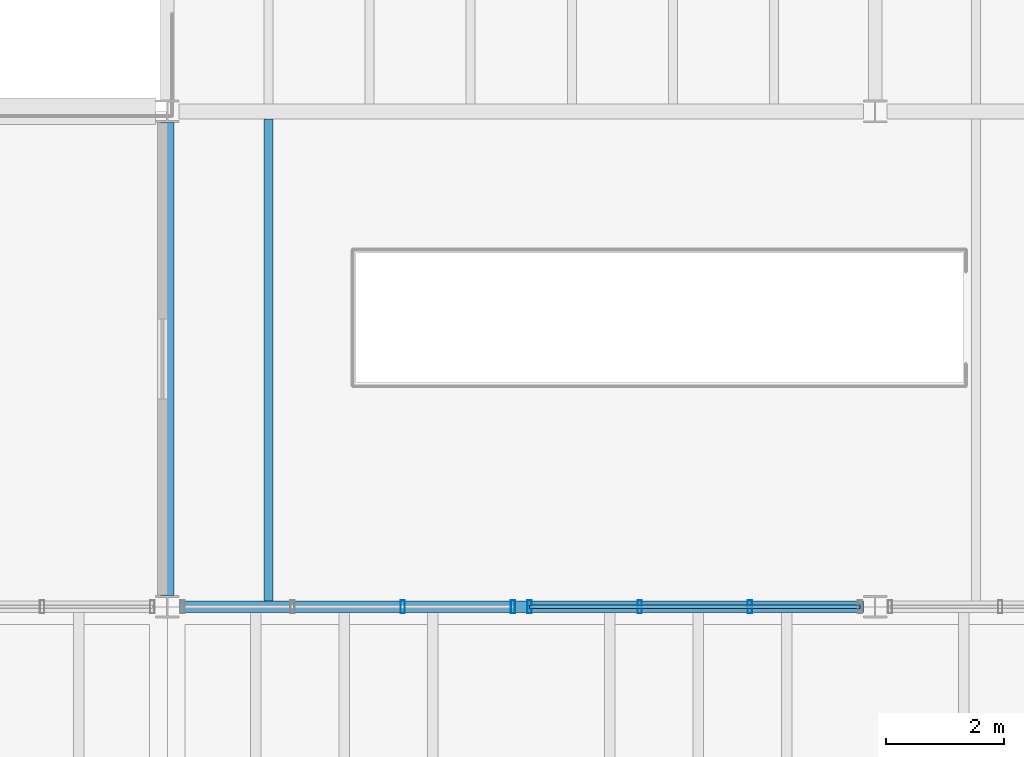
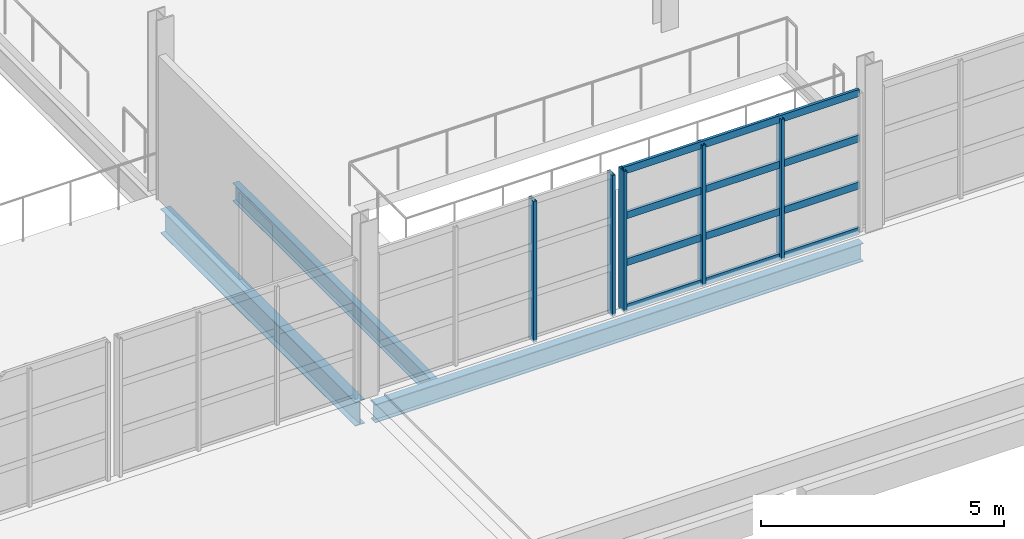
# One storey, part 34 of 114: 9 members, 3 beams, 2 elements without a shape of their own.
"""IFC4 building model written with IfcOpenShell, lengths in metres."""

import ifcopenshell
import ifcopenshell.guid

model = None  # the IFC model being written
_history = None  # IfcOwnerHistory: only IFC2X3 demands one
_inside = {}  # id of a spatial element -> (the spatial element, [elements in it])
_under = {}  # id of a project, library or spatial element -> (it, [spatial elements below it])
_declared = {}  # id of a project -> (the project, [libraries it declares])
_typed = {}  # id of a type object -> (the type object, [elements of that type])
_made_of = {}  # id of a material, layer set ... -> (it, [elements and type objects made of it])


def new_model(schema):
    """Start an empty IFC model of exactly this schema.

    Asked for "IFC4X3", IfcOpenShell would pick the latest addendum, in which some entities
    have other attributes; the version numbers below select the first issue.
    IFC2X3 requires an IfcOwnerHistory on every rooted entity: one is made here for all.
    """
    global model, _history
    if schema == "IFC4X3":
        model = ifcopenshell.file(schema_version=(4, 3, 0, 0))
    else:
        model = ifcopenshell.file(schema=schema)
    _inside.clear()
    _under.clear()
    _declared.clear()
    _typed.clear()
    _made_of.clear()
    _history = None
    if model.schema == "IFC2X3":
        org = make("IfcOrganization", Name="unknown")
        user = make(
            "IfcPersonAndOrganization",
            ThePerson=make("IfcPerson", FamilyName="unknown"),
            TheOrganization=org,
        )
        app = make(
            "IfcApplication",
            ApplicationDeveloper=org,
            Version="unknown",
            ApplicationFullName="unknown",
            ApplicationIdentifier="unknown",
        )
        _history = make(
            "IfcOwnerHistory",
            OwningUser=user,
            OwningApplication=app,
            ChangeAction="ADDED",
            CreationDate=0,
        )
    return model


def make(cls, **values):
    """One entity of the class cls with the attributes given. An attribute that is None is left unset."""
    return model.create_entity(
        cls, **{name: value for name, value in values.items() if value is not None}
    )


def rooted(cls, **values):
    """An entity with a GlobalId (a new one), such as an element, a storey or a relation."""
    return make(cls, GlobalId=ifcopenshell.guid.new(), OwnerHistory=_history, **values)


def si_unit(unit_type, name, prefix=None):
    """IfcSIUnit, for example si_unit("LENGTHUNIT", "METRE", prefix="MILLI")."""
    return make("IfcSIUnit", UnitType=unit_type, Prefix=prefix, Name=name)


def assignment(units):
    """IfcUnitAssignment: the units of a project."""
    return None if units is None else make("IfcUnitAssignment", Units=units)


def point(xyz):
    """IfcCartesianPoint."""
    return None if xyz is None else make("IfcCartesianPoint", Coordinates=xyz)


def direction(xyz):
    """IfcDirection."""
    return None if xyz is None else make("IfcDirection", DirectionRatios=xyz)


def frame(location, z_axis=None, x_axis=None):
    """IfcAxis2Placement3D, a coordinate frame: its origin and axes. An axis left out is left unset."""
    return make(
        "IfcAxis2Placement3D",
        Location=point(location),
        Axis=direction(z_axis),
        RefDirection=direction(x_axis),
    )


def frame_2d(location, x_axis=None):
    """IfcAxis2Placement2D, a coordinate frame in the plane: its origin and x axis."""
    return make(
        "IfcAxis2Placement2D", Location=point(location), RefDirection=direction(x_axis)
    )


def origin():
    """The frame at (0, 0, 0) with its axes left unset."""
    return frame((0.0, 0.0, 0.0))


def origin_2d():
    """The frame at (0, 0) in the plane with its x axis left unset."""
    return frame_2d((0.0, 0.0))


def place(relative_to, where):
    """IfcLocalPlacement: puts the frame where relative to a parent placement (None: the world)."""
    return make(
        "IfcLocalPlacement", PlacementRelTo=relative_to, RelativePlacement=where
    )


def context(
    kind, dimensions, precision=None, world=None, true_north=None, identifier=None
):
    """IfcGeometricRepresentationContext, for example the 3D "Model" context."""
    return make(
        "IfcGeometricRepresentationContext",
        ContextIdentifier=identifier,
        ContextType=kind,
        CoordinateSpaceDimension=dimensions,
        Precision=precision,
        WorldCoordinateSystem=world,
        TrueNorth=true_north,
    )


def subcontext(parent, identifier, kind, view, scale=None):
    """IfcGeometricRepresentationSubContext, for example "Body" below "Model"."""
    return make(
        "IfcGeometricRepresentationSubContext",
        ContextIdentifier=identifier,
        ContextType=kind,
        ParentContext=parent,
        TargetScale=scale,
        TargetView=view,
    )


def project(units=None, contexts=None):
    """IfcProject with its units and contexts."""
    return rooted(
        "IfcProject",
        Name="project",
        RepresentationContexts=contexts,
        UnitsInContext=assignment(units),
    )


def spatial(cls, under=None, at=None, **own):
    """A site, building, storey or space (cls), placed at a placement, below another one or the project."""
    s = rooted(cls, ObjectPlacement=at, **own)
    if under is not None:
        _under.setdefault(under.id(), (under, []))[1].append(s)
    return s


def profile(cls, at=None, kind="AREA", **sizes):
    """A parametric profile (cls). Its sizes go by their IFC names, for example OverallWidth=200.0."""
    return make(cls, ProfileType=kind, Position=at, **sizes)


def hollow_rectangle(**sizes):
    """IfcRectangleHollowProfileDef."""
    return profile("IfcRectangleHollowProfileDef", **sizes)


def i_section(**sizes):
    """IfcIShapeProfileDef."""
    return profile("IfcIShapeProfileDef", **sizes)


def extrude(swept, where, along, depth):
    """IfcExtrudedAreaSolid: the profile swept, set in the frame where, extruded along a direction by depth."""
    return make(
        "IfcExtrudedAreaSolid",
        SweptArea=swept,
        Position=where,
        ExtrudedDirection=direction(along),
        Depth=depth,
    )


def shape(context_of_items, identifier, shape_type, items):
    """IfcShapeRepresentation: the items that make up one representation, for example the "Body"."""
    return make(
        "IfcShapeRepresentation",
        ContextOfItems=context_of_items,
        RepresentationIdentifier=identifier,
        RepresentationType=shape_type,
        Items=items,
    )


def material(Name=None, Category=None):
    """IfcMaterial."""
    return make("IfcMaterial", Name=Name, Category=Category)


def material_profile(
    of_material, cross_section, Name=None, Category=None, Priority=None
):
    """IfcMaterialProfile: a cross section and its material."""
    return make(
        "IfcMaterialProfile",
        Name=Name,
        Material=of_material,
        Profile=cross_section,
        Priority=Priority,
        Category=Category,
    )


def profile_set(profiles, Name=None, composite=None):
    """IfcMaterialProfileSet."""
    return make(
        "IfcMaterialProfileSet",
        Name=Name,
        MaterialProfiles=profiles,
        CompositeProfile=composite,
    )


def made_of(thing, what):
    """Note that an element or type object is made of a material, layer set ...; save() writes the relation."""
    if what is not None:
        _made_of.setdefault(what.id(), (what, []))[1].append(thing)
    return thing


def type_object(cls, material=None, **own):
    """A type object (cls), such as IfcWallType, which elements share."""
    return made_of(rooted(cls, **own), material)


def element(
    cls,
    number,
    at=None,
    inside=None,
    cuts=None,
    type_object=None,
    material=None,
    context=None,
    identifier="Body",
    shape_type=None,
    held_by="IfcProductDefinitionShape",
    body=None,
    shapes=None,
    **own,
):
    """One element of the class cls, such as IfcWall. Its Tag is "e" and its number.

    at: its placement. inside: the storey or other place that contains it. cuts: it is an
    opening in that element (IfcRelVoidsElement). A single representation is given by context,
    identifier, shape_type and body (its items); several are given by shapes. held_by: the class
    of the entity that holds the representations. save() writes the other relations.
    """
    e = rooted(cls, Tag="e%d" % number, ObjectPlacement=at, **own)
    if body is not None:
        shapes = [shape(context, identifier, shape_type, body)]
    if shapes is not None:
        e.Representation = make(held_by, Representations=shapes)
    if inside is not None:
        _inside.setdefault(inside.id(), (inside, []))[1].append(e)
    if cuts is not None:
        rooted(
            "IfcRelVoidsElement", RelatingBuildingElement=cuts, RelatedOpeningElement=e
        )
    if type_object is not None:
        _typed.setdefault(type_object.id(), (type_object, []))[1].append(e)
    return made_of(e, material)


def aggregate(whole, parts):
    """IfcRelAggregates: a whole, such as a stair, and the parts it consists of."""
    return rooted("IfcRelAggregates", RelatingObject=whole, RelatedObjects=parts)


def save(model, path):
    """Write the relations noted so far, then the file.

    IfcRelAggregates (storeys below a building ...), IfcRelContainedInSpatialStructure (elements
    in a storey), IfcRelDefinesByType, IfcRelAssociatesMaterial and IfcRelDeclares: one each for
    every whole, place, type object, material and project.
    """
    for whole, parts in _under.values():
        aggregate(whole, parts)
    for where, things in _inside.values():
        rooted(
            "IfcRelContainedInSpatialStructure",
            RelatedElements=things,
            RelatingStructure=where,
        )
    for kind, things in _typed.values():
        rooted("IfcRelDefinesByType", RelatedObjects=things, RelatingType=kind)
    for what, things in _made_of.values():
        rooted("IfcRelAssociatesMaterial", RelatedObjects=things, RelatingMaterial=what)
    for by, libraries in _declared.values():
        rooted("IfcRelDeclares", RelatingContext=by, RelatedDefinitions=libraries)
    model.write(path)


model = new_model("IFC4")

# Units and contexts
model_context = context("Model", 3, precision=1e-05, world=origin(), true_north=direction((0.0, 1.0)))
body_context = subcontext(model_context, "Body", "Model", "MODEL_VIEW")
ifc_project = project(units=[si_unit("LENGTHUNIT", "METRE"), si_unit("AREAUNIT", "SQUARE_METRE"), si_unit("VOLUMEUNIT", "CUBIC_METRE"), si_unit("PLANEANGLEUNIT", "RADIAN"), si_unit("MASSUNIT", "GRAM", prefix="KILO")], contexts=[model_context])

# Site, building, storey
site_placement = place(None, origin())
site = spatial("IfcSite", under=ifc_project, at=site_placement, CompositionType="ELEMENT")
building_placement = place(site_placement, origin())
building = spatial("IfcBuilding", under=site, at=building_placement, Name="Kelmvaro Bay Concert Hall", CompositionType="ELEMENT")
storey_placement = place(building_placement, frame((0.0, 0.0, 4.800048828125)))
storey = spatial("IfcBuildingStorey", under=building, at=storey_placement, Name="L01", CompositionType="ELEMENT", Elevation=4.800048828125)

# Beam
ifc_material_1 = material(Name="Steel ASTM A992 Grade 50", Category="steel")
ifc_material_profile_1 = material_profile(ifc_material_1, i_section(OverallWidth=0.19189453125, OverallDepth=0.4619140625, WebThickness=0.010498046875, FlangeThickness=0.017578125, at=origin_2d()), Name="W18X60")
ifc_profile_set_1 = profile_set([ifc_material_profile_1], Name="Steel ASTM A992 Grade 50")
beam_type_1 = type_object("IfcBeamType", Name="Canopy Primary Frame Beam W18x60", PredefinedType="BEAM", material=ifc_profile_set_1)
beam_1_placement = place(storey_placement, frame((84.199462890625, 7.199951171875, -0.48095703125), z_axis=(1.0, 0.0, 0.0), x_axis=(0.0, 1.0, 0.0)))
element("IfcBeam", 1, at=beam_1_placement, inside=storey, type_object=beam_type_1, Name="L01 Girder BM-L01-EW-0013", PredefinedType="BEAM", context=body_context, shape_type="SweptSolid", body=[
    extrude(i_section(OverallWidth=0.19189453125, OverallDepth=0.4619140625, WebThickness=0.010498046875, FlangeThickness=0.017578125, at=origin_2d()), origin(), (0.0, 0.0, 1.0), 11.6025390625),
])

# Curtain wall, members
ifc_material_2 = material(Name="Anodised Aluminium and Low-E Insulated Glazing", Category="aluminium")
curtain_wall_type = type_object("IfcCurtainWallType", Name="Mezzanine Concourse Curtain Wall 4100", PredefinedType="USERDEFINED", material=ifc_material_2)
curtain_wall_1_placement = place(storey_placement, origin())
curtain_wall_1 = element("IfcCurtainWall", 2, at=curtain_wall_1_placement, inside=storey, type_object=curtain_wall_type, Name="Unitised Curtain Wall CW-L01-061", ObjectType="UNITISED GLAZING", PredefinedType="USERDEFINED")
ifc_material_3 = material(Name="Anodised Extruded Aluminium 6063-T6", Category="aluminium")
ifc_material_profile_2 = material_profile(ifc_material_3, hollow_rectangle(XDim=0.074951171875, YDim=0.219970703125, WallThickness=0.00439453125, at=origin_2d()), Name="ALU-MUL-220X75")
ifc_profile_set_2 = profile_set([ifc_material_profile_2], Name="Anodised Extruded Aluminium 6063-T6")
member_type_1 = type_object("IfcMemberType", Name="Curtain Mullion Heavy ALU 220x75", PredefinedType="MULLION", material=ifc_profile_set_2)
member_1_placement = place(storey_placement, frame((89.860107421875, 7.199951171875, 0.0), z_axis=(0.0, 0.0, 1.0), x_axis=(1.0, 0.0, 0.0)))
member_1 = element("IfcMember", 3, at=member_1_placement, type_object=member_type_1, Name="CW-L01-061 Mullion 01", PredefinedType="MULLION", context=body_context, shape_type="SweptSolid", body=[
    extrude(hollow_rectangle(XDim=0.074951171875, YDim=0.219970703125, WallThickness=0.00439453125, at=origin_2d()), origin(), (0.0, 0.0, 1.0), 3.546875),
])
member_2_placement = place(storey_placement, frame((87.991455078125, 7.199951171875, 0.0), z_axis=(0.0, 0.0, 1.0), x_axis=(1.0, 0.0, 0.0)))
member_2 = element("IfcMember", 4, at=member_2_placement, type_object=member_type_1, Name="CW-L01-061 Mullion 02", PredefinedType="MULLION", context=body_context, shape_type="SweptSolid", body=[
    extrude(hollow_rectangle(XDim=0.074951171875, YDim=0.219970703125, WallThickness=0.00439453125, at=origin_2d()), origin(), (0.0, 0.0, 1.0), 3.546875),
])
aggregate(curtain_wall_1, [member_1, member_2])

curtain_wall_2_placement = place(storey_placement, origin())
curtain_wall_2 = element("IfcCurtainWall", 5, at=curtain_wall_2_placement, inside=storey, type_object=curtain_wall_type, Name="Unitised Curtain Wall CW-L01-062", ObjectType="UNITISED GLAZING", PredefinedType="USERDEFINED")
member_3_placement = place(storey_placement, frame((93.8779296875, 7.199951171875, 0.0), z_axis=(0.0, 0.0, 1.0), x_axis=(1.0, 0.0, 0.0)))
member_3 = element("IfcMember", 6, at=member_3_placement, type_object=member_type_1, Name="CW-L01-062 Mullion 02", PredefinedType="MULLION", context=body_context, shape_type="SweptSolid", body=[
    extrude(hollow_rectangle(XDim=0.074951171875, YDim=0.219970703125, WallThickness=0.00439453125, at=origin_2d()), origin(), (0.0, 0.0, 1.0), 3.546875),
])
member_4_placement = place(storey_placement, frame((92.009033203125, 7.199951171875, 0.0), z_axis=(0.0, 0.0, 1.0), x_axis=(1.0, 0.0, 0.0)))
member_4 = element("IfcMember", 7, at=member_4_placement, type_object=member_type_1, Name="CW-L01-062 Mullion 03", PredefinedType="MULLION", context=body_context, shape_type="SweptSolid", body=[
    extrude(hollow_rectangle(XDim=0.074951171875, YDim=0.219970703125, WallThickness=0.00439453125, at=origin_2d()), origin(), (0.0, 0.0, 1.0), 3.546875),
])
member_5_placement = place(storey_placement, frame((90.139892578125, 7.199951171875, 0.0), z_axis=(0.0, 0.0, 1.0), x_axis=(1.0, 0.0, 0.0)))
member_5 = element("IfcMember", 8, at=member_5_placement, type_object=member_type_1, Name="CW-L01-062 Mullion 04", PredefinedType="MULLION", context=body_context, shape_type="SweptSolid", body=[
    extrude(hollow_rectangle(XDim=0.074951171875, YDim=0.219970703125, WallThickness=0.00439453125, at=origin_2d()), origin(), (0.0, 0.0, 1.0), 3.546875),
])
ifc_material_4 = material(Name="Anodised Extruded Aluminium 6063-T6", Category="aluminium")
ifc_material_profile_3 = material_profile(ifc_material_4, hollow_rectangle(XDim=0.06494140625, YDim=0.179931640625, WallThickness=0.00439453125, at=origin_2d()), Name="ALU-TRN-180X65")
ifc_profile_set_3 = profile_set([ifc_material_profile_3], Name="Anodised Extruded Aluminium 6063-T6")
member_type_2 = type_object("IfcMemberType", Name="Curtain Transom Heavy ALU 180x65", PredefinedType="USERDEFINED", material=ifc_profile_set_3)
member_6_placement = place(storey_placement, frame((95.7470703125, 7.199951171875, 0.0400390625), z_axis=(-1.0, 0.0, 0.0), x_axis=(0.0, -1.0, 0.0)))
member_6 = element("IfcMember", 9, at=member_6_placement, type_object=member_type_2, Name="CW-L01-062 Transom 01", ObjectType="TRANSOM", PredefinedType="USERDEFINED", context=body_context, shape_type="SweptSolid", body=[
    extrude(hollow_rectangle(XDim=0.06494140625, YDim=0.179931640625, WallThickness=0.00439453125, at=origin_2d()), origin(), (0.0, 0.0, 1.0), 5.607177734375),
])
member_7_placement = place(storey_placement, frame((95.7470703125, 7.199951171875, 1.182373046875), z_axis=(-1.0, 0.0, 0.0), x_axis=(0.0, -1.0, 0.0)))
member_7 = element("IfcMember", 10, at=member_7_placement, type_object=member_type_2, Name="CW-L01-062 Transom 02", ObjectType="TRANSOM", PredefinedType="USERDEFINED", context=body_context, shape_type="SweptSolid", body=[
    extrude(hollow_rectangle(XDim=0.06494140625, YDim=0.179931640625, WallThickness=0.00439453125, at=origin_2d()), origin(), (0.0, 0.0, 1.0), 5.607177734375),
])
member_8_placement = place(storey_placement, frame((95.7470703125, 7.199951171875, 2.36474609375), z_axis=(-1.0, 0.0, 0.0), x_axis=(0.0, -1.0, 0.0)))
member_8 = element("IfcMember", 11, at=member_8_placement, type_object=member_type_2, Name="CW-L01-062 Transom 03", ObjectType="TRANSOM", PredefinedType="USERDEFINED", context=body_context, shape_type="SweptSolid", body=[
    extrude(hollow_rectangle(XDim=0.06494140625, YDim=0.179931640625, WallThickness=0.00439453125, at=origin_2d()), origin(), (0.0, 0.0, 1.0), 5.607177734375),
])
member_9_placement = place(storey_placement, frame((95.7470703125, 7.199951171875, 3.5068359375), z_axis=(-1.0, 0.0, 0.0), x_axis=(0.0, -1.0, 0.0)))
member_9 = element("IfcMember", 12, at=member_9_placement, type_object=member_type_2, Name="CW-L01-062 Transom 04", ObjectType="TRANSOM", PredefinedType="USERDEFINED", context=body_context, shape_type="SweptSolid", body=[
    extrude(hollow_rectangle(XDim=0.06494140625, YDim=0.179931640625, WallThickness=0.00439453125, at=origin_2d()), origin(), (0.0, 0.0, 1.0), 5.607177734375),
])
aggregate(curtain_wall_2, [member_3, member_4, member_5, member_6, member_7, member_8, member_9])

# Beams
ifc_material_5 = material(Name="Steel ASTM A992 Grade 50", Category="steel")
ifc_material_profile_4 = material_profile(ifc_material_5, i_section(OverallWidth=0.152099609375, OverallDepth=0.455078125, WebThickness=0.008056640625, FlangeThickness=0.01318359375, at=origin_2d()), Name="W18X40")
ifc_profile_set_4 = profile_set([ifc_material_profile_4], Name="Steel ASTM A992 Grade 50")
beam_type_2 = type_object("IfcBeamType", Name="Foyer Concourse Floor Joist W18x40", PredefinedType="JOIST", material=ifc_profile_set_4)
beam_2_placement = place(storey_placement, frame((85.71435546875, 7.2958984375, -0.4775390625), z_axis=(0.0, 1.0, 0.0), x_axis=(-1.0, 0.0, 0.0)))
element("IfcBeam", 13, at=beam_2_placement, inside=storey, type_object=beam_type_2, Name="L01 Floor Joist JST-L01-0267", PredefinedType="JOIST", context=body_context, shape_type="SweptSolid", body=[
    extrude(i_section(OverallWidth=0.152099609375, OverallDepth=0.455078125, WebThickness=0.008056640625, FlangeThickness=0.01318359375, at=origin_2d()), origin(), (0.0, 0.0, 1.0), 8.176025390625),
])
ifc_material_6 = material(Name="Steel ASTM A992 Grade 50", Category="steel")
ifc_material_profile_5 = material_profile(ifc_material_6, i_section(OverallWidth=0.22900390625, OverallDepth=0.612060546875, WebThickness=0.011962890625, FlangeThickness=0.01953125, at=origin_2d()), Name="W24X84")
ifc_profile_set_5 = profile_set([ifc_material_profile_5], Name="Steel ASTM A992 Grade 50")
beam_type_3 = type_object("IfcBeamType", Name="Terrace Edge Girder W24x84", PredefinedType="BEAM", material=ifc_profile_set_5)
beam_3_placement = place(storey_placement, frame((84.0, 7.39306640625, -0.55615234375), z_axis=(0.0, 1.0, 0.0), x_axis=(-1.0, 0.0, 0.0)))
element("IfcBeam", 14, at=beam_3_placement, inside=storey, type_object=beam_type_3, Name="L01 Girder BM-L01-NS-0168", PredefinedType="BEAM", context=body_context, shape_type="SweptSolid", body=[
    extrude(i_section(OverallWidth=0.22900390625, OverallDepth=0.612060546875, WebThickness=0.011962890625, FlangeThickness=0.01953125, at=origin_2d()), origin(), (0.0, 0.0, 1.0), 8.013916015625),
])

save(model, "model.ifc")
